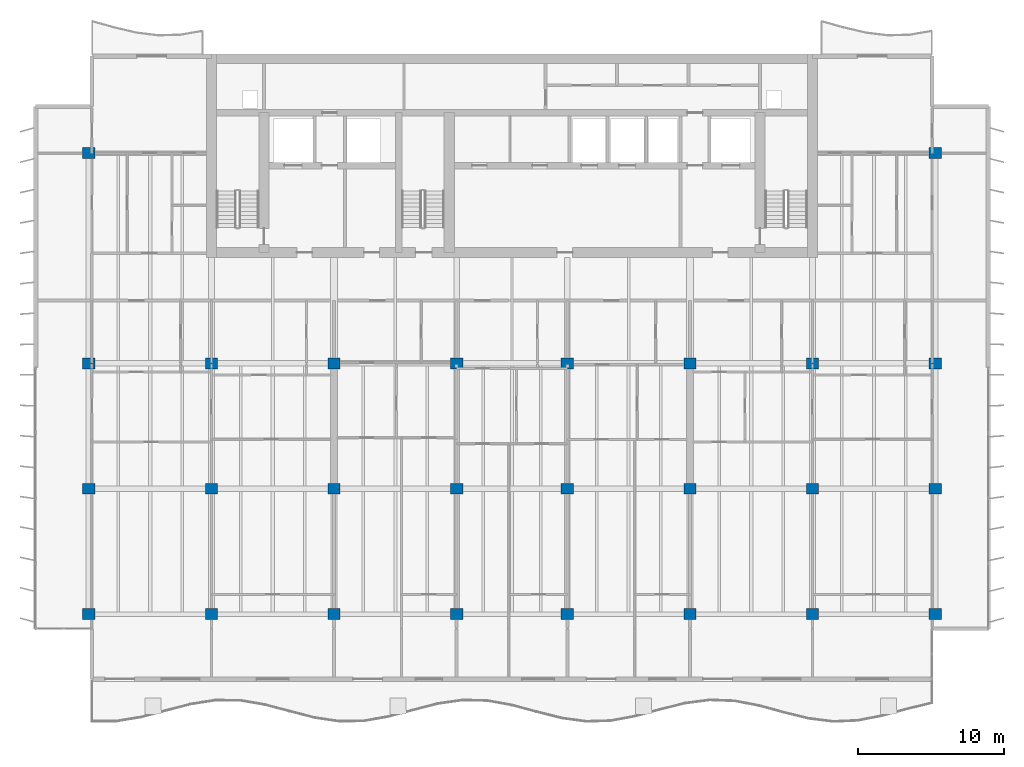
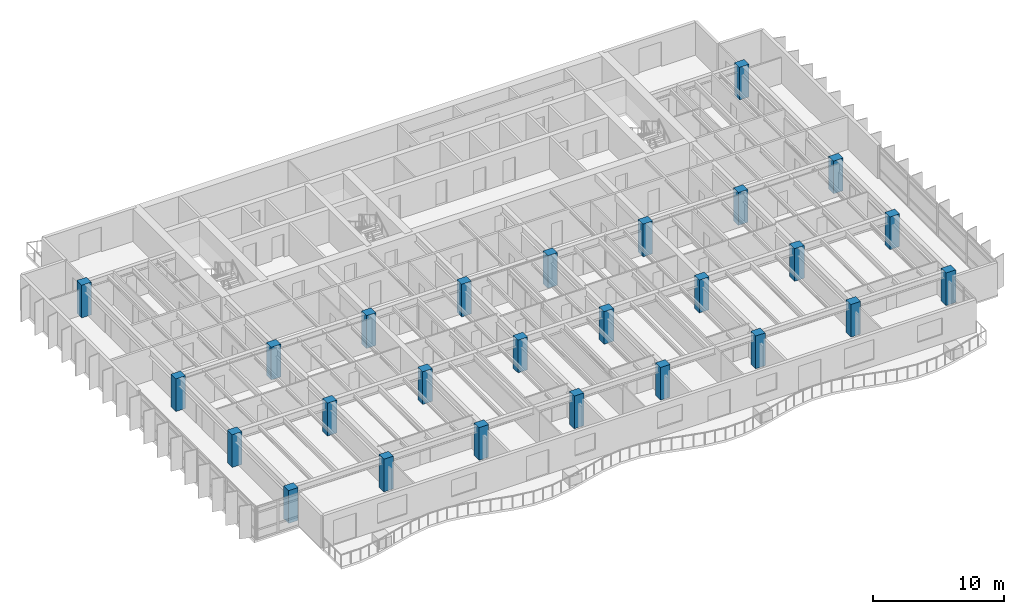
# One storey, part 1 of 19: 26 columns.
"""IFC4 building model written with IfcOpenShell, lengths in metres."""

from ifc_helpers import new_model, si_unit, direction, frame, origin, origin_2d, place, context, subcontext, project, spatial, rectangle, extrude, material, material_profile, profile_set, type_object, element, save


model = new_model("IFC4")

# Units and contexts
model_context = context("Model", 3, precision=1e-05, world=origin(), true_north=direction((0.0, 1.0)))
body_context = subcontext(model_context, "Body", "Model", "MODEL_VIEW")
ifc_project = project(units=[si_unit("LENGTHUNIT", "METRE"), si_unit("AREAUNIT", "SQUARE_METRE"), si_unit("VOLUMEUNIT", "CUBIC_METRE"), si_unit("PLANEANGLEUNIT", "RADIAN"), si_unit("MASSUNIT", "GRAM", prefix="KILO")], contexts=[model_context])

# Site, building, storey
site_placement = place(None, origin())
site = spatial("IfcSite", under=ifc_project, at=site_placement, CompositionType="ELEMENT")
building_placement = place(site_placement, origin())
building = spatial("IfcBuilding", under=site, at=building_placement, Name="Caelmar Bay Residences", CompositionType="ELEMENT")
storey_placement = place(building_placement, frame((0.0, 0.0, 163.800048828125)))
storey = spatial("IfcBuildingStorey", under=building, at=storey_placement, Name="L45", CompositionType="ELEMENT", Elevation=163.800048828125)

# Columns
ifc_material = material(Name="Concrete f'c 55 MPa (8,000 psi)", Category="concrete")
ifc_material_profile = material_profile(ifc_material, rectangle(XDim=0.85009765625, YDim=0.75, at=origin_2d()), Name="RC-COL-850X750")
ifc_profile_set = profile_set([ifc_material_profile], Name="Concrete f'c 55 MPa (8,000 psi)")
column_type = type_object("IfcColumnType", Name="COL-RC-850X750", PredefinedType="COLUMN", material=ifc_profile_set)
for number, where, z_axis, x_axis, name in (
    (1, (9.89990234375, 12.199951171875, 0.0), (0.0, 0.0, 1.0), (1.0, 0.0, 0.0), "L45 Column (9.90,12.20)"),
    (2, (18.300048828125, 12.199951171875, 0.0), (0.0, 0.0, 1.0), (1.0, 0.0, 0.0), "L45 Column (18.30,12.20)"),
    (3, (26.699951171875, 12.199951171875, 0.0), (0.0, 0.0, 1.0), (1.0, 0.0, 0.0), "L45 Column (26.70,12.20)"),
    (4, (35.10009765625, 12.199951171875, 0.0), (0.0, 0.0, 1.0), (1.0, 0.0, 0.0), "L45 Column (35.10,12.20)"),
    (5, (42.699951171875, 12.199951171875, 0.0), (0.0, 0.0, 1.0), (1.0, 0.0, 0.0), "L45 Column (42.70,12.20)"),
    (6, (51.10009765625, 12.199951171875, 0.0), (0.0, 0.0, 1.0), (1.0, 0.0, 0.0), "L45 Column (51.10,12.20)"),
    (7, (59.5, 12.199951171875, 0.0), (0.0, 0.0, 1.0), (1.0, 0.0, 0.0), "L45 Column (59.50,12.20)"),
    (8, (67.89990234375, 12.199951171875, 0.0), (0.0, 0.0, 1.0), (1.0, 0.0, 0.0), "L45 Column (67.90,12.20)"),
    (9, (9.89990234375, 20.800048828125, 0.0), (0.0, 0.0, 1.0), (1.0, 0.0, 0.0), "L45 Column (9.90,20.80)"),
    (10, (18.300048828125, 20.800048828125, 0.0), (0.0, 0.0, 1.0), (1.0, 0.0, 0.0), "L45 Column (18.30,20.80)"),
    (11, (26.699951171875, 20.800048828125, 0.0), (0.0, 0.0, 1.0), (1.0, 0.0, 0.0), "L45 Column (26.70,20.80)"),
    (12, (35.10009765625, 20.800048828125, 0.0), (0.0, 0.0, 1.0), (1.0, 0.0, 0.0), "L45 Column (35.10,20.80)"),
    (13, (42.699951171875, 20.800048828125, 0.0), (0.0, 0.0, 1.0), (1.0, 0.0, 0.0), "L45 Column (42.70,20.80)"),
    (14, (51.10009765625, 20.800048828125, 0.0), (0.0, 0.0, 1.0), (1.0, 0.0, 0.0), "L45 Column (51.10,20.80)"),
    (15, (59.5, 20.800048828125, 0.0), (0.0, 0.0, 1.0), (1.0, 0.0, 0.0), "L45 Column (59.50,20.80)"),
    (16, (67.89990234375, 20.800048828125, 0.0), (0.0, 0.0, 1.0), (1.0, 0.0, 0.0), "L45 Column (67.90,20.80)"),
    (17, (9.89990234375, 29.39990234375, 0.0), (0.0, 0.0, 1.0), (1.0, 0.0, 0.0), "L45 Column (9.90,29.40)"),
    (18, (18.300048828125, 29.39990234375, 0.0), (0.0, 0.0, 1.0), (1.0, 0.0, 0.0), "L45 Column (18.30,29.40)"),
    (19, (26.699951171875, 29.39990234375, 0.0), (0.0, 0.0, 1.0), (1.0, 0.0, 0.0), "L45 Column (26.70,29.40)"),
    (20, (35.10009765625, 29.39990234375, 0.0), (0.0, 0.0, 1.0), (1.0, 0.0, 0.0), "L45 Column (35.10,29.40)"),
    (21, (42.699951171875, 29.39990234375, 0.0), (0.0, 0.0, 1.0), (1.0, 0.0, 0.0), "L45 Column (42.70,29.40)"),
    (22, (51.10009765625, 29.39990234375, 0.0), (0.0, 0.0, 1.0), (1.0, 0.0, 0.0), "L45 Column (51.10,29.40)"),
    (23, (59.5, 29.39990234375, 0.0), (0.0, 0.0, 1.0), (1.0, 0.0, 0.0), "L45 Column (59.50,29.40)"),
    (24, (67.89990234375, 29.39990234375, 0.0), (0.0, 0.0, 1.0), (1.0, 0.0, 0.0), "L45 Column (67.90,29.40)"),
    (25, (9.89990234375, 43.800048828125, 0.0), (0.0, 0.0, 1.0), (1.0, 0.0, 0.0), "L45 Column (9.90,43.80)"),
    (26, (67.89990234375, 43.800048828125, 0.0), (0.0, 0.0, 1.0), (1.0, 0.0, 0.0), "L45 Column (67.90,43.80)"),
):
    element("IfcColumn", number, at=place(storey_placement, frame(where, z_axis=z_axis, x_axis=x_axis)), inside=storey, type_object=column_type, Name=name, PredefinedType="COLUMN", context=body_context, shape_type="SweptSolid", body=[
        extrude(rectangle(XDim=0.85009765625, YDim=0.75, at=origin_2d()), origin(), (0.0, 0.0, 1.0), 3.050048828125),
    ])

save(model, "model.ifc")
